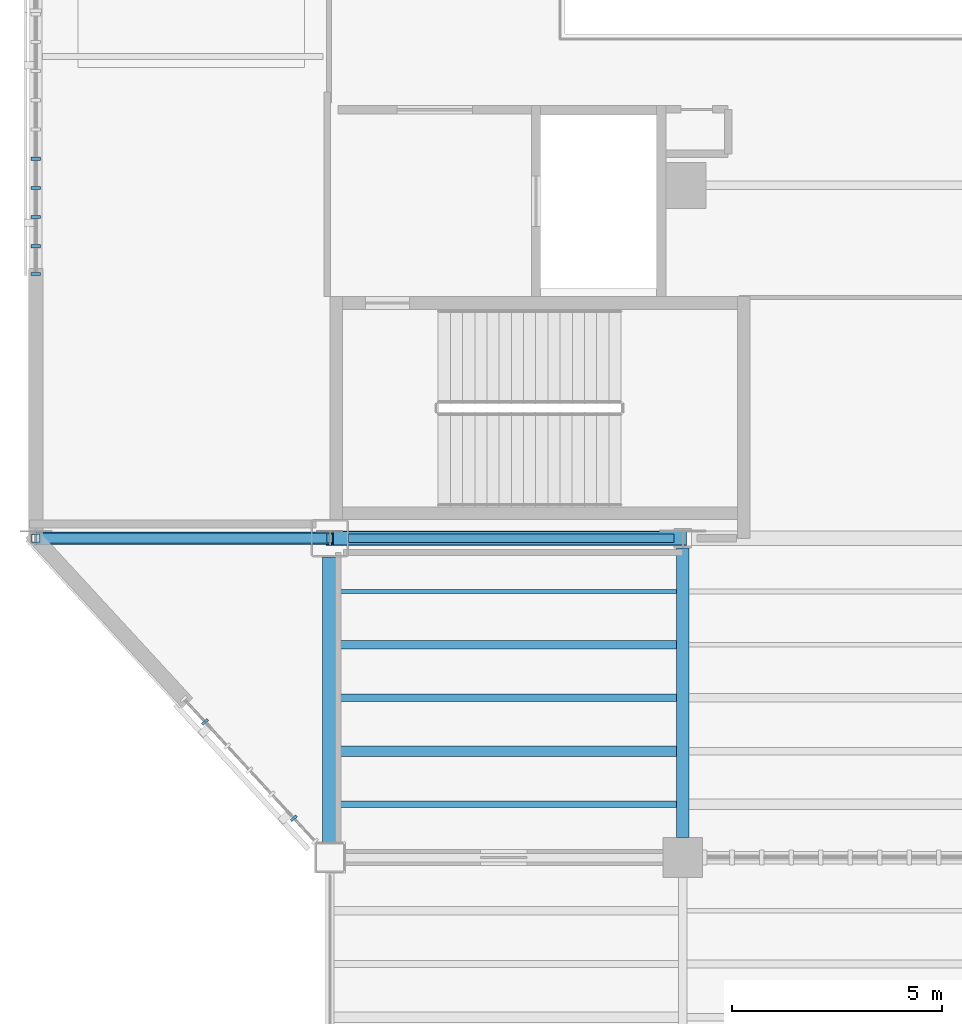
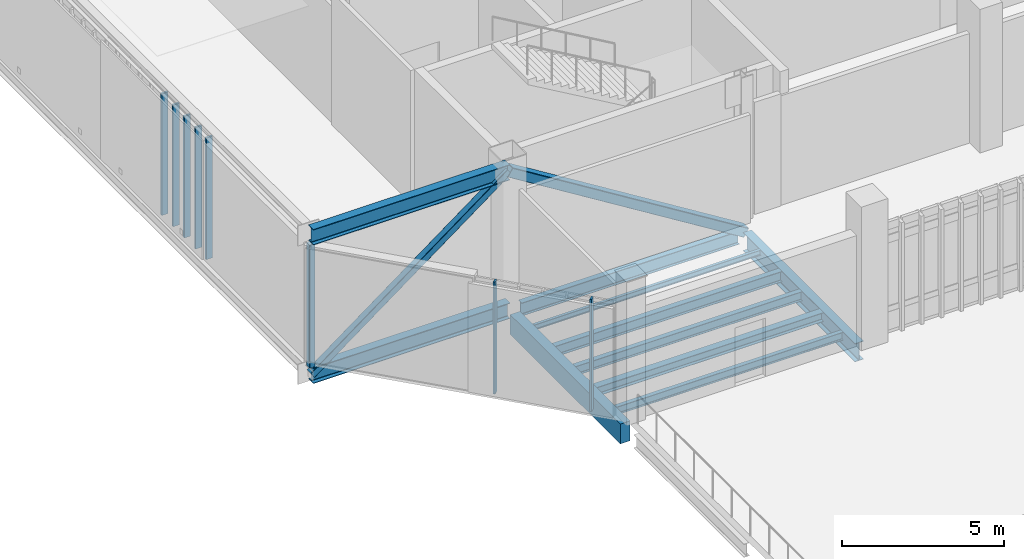
# One storey, part 16 of 127: 10 beams, 10 members, 2 elements without a shape of their own.
"""IFC4 building model written with IfcOpenShell, lengths in metres."""

from ifc_helpers import new_model, si_unit, direction, frame, origin, origin_2d, place, context, subcontext, project, spatial, rectangle, hollow_rectangle, i_section, extrude, material, material_profile, profile_set, type_object, element, aggregate, save


model = new_model("IFC4")

# Units and contexts
model_context = context("Model", 3, precision=1e-05, world=origin(), true_north=direction((0.0, 1.0)))
body_context = subcontext(model_context, "Body", "Model", "MODEL_VIEW")
ifc_project = project(units=[si_unit("LENGTHUNIT", "METRE"), si_unit("AREAUNIT", "SQUARE_METRE"), si_unit("VOLUMEUNIT", "CUBIC_METRE"), si_unit("PLANEANGLEUNIT", "RADIAN"), si_unit("MASSUNIT", "GRAM", prefix="KILO")], contexts=[model_context])

# Site, building, storey
site_placement = place(None, origin())
site = spatial("IfcSite", under=ifc_project, at=site_placement, CompositionType="ELEMENT")
building_placement = place(site_placement, origin())
building = spatial("IfcBuilding", under=site, at=building_placement, Name="Larkvane Passage Sports Hall", CompositionType="ELEMENT")
storey_placement = place(building_placement, frame((0.0, 0.0, 5.39990234375)))
storey = spatial("IfcBuildingStorey", under=building, at=storey_placement, Name="L01", CompositionType="ELEMENT", Elevation=5.39990234375)

# Beams
ifc_material_1 = material(Name="Steel S460N", Category="steel")
ifc_material_profile_1 = material_profile(ifc_material_1, i_section(OverallWidth=0.300048828125, OverallDepth=0.587890625, WebThickness=0.011962890625, FlangeThickness=0.02001953125, FilletRadius=0.02197265625, at=origin_2d()), Name="H-588x300x12x20")
ifc_profile_set_1 = profile_set([ifc_material_profile_1], Name="Steel S460N")
beam_type_1 = type_object("IfcBeamType", Name="BM-STL-H588", PredefinedType="BEAM", material=ifc_profile_set_1)
for number, where, z_axis, x_axis, name in (
    (1, (27.800048828125, 22.800048828125, -0.52392578125), (1.0, 0.0, 0.0), (0.0, 1.0, 0.0), "Cantilever truss CT-W1A-1 bottom chord 1"),
    (2, (27.800048828125, 22.800048828125, 4.68603515625), (1.0, 0.0, 0.0), (0.0, 1.0, 0.0), "Cantilever truss CT-W1A-1 top chord 1"),
):
    element("IfcBeam", number, at=place(storey_placement, frame(where, z_axis=z_axis, x_axis=x_axis)), inside=storey, type_object=beam_type_1, Name=name, PredefinedType="BEAM", context=body_context, shape_type="SweptSolid", body=[
        extrude(i_section(OverallWidth=0.300048828125, OverallDepth=0.587890625, WebThickness=0.011962890625, FlangeThickness=0.02001953125, FilletRadius=0.02197265625, at=origin_2d()), origin(), (0.0, 0.0, 1.0), 7.0),
    ])
ifc_material_profile_2 = material_profile(ifc_material_1, i_section(OverallWidth=0.300048828125, OverallDepth=0.69189453125, WebThickness=0.012939453125, FlangeThickness=0.02001953125, FilletRadius=0.02197265625, at=origin_2d()), Name="H-692x300x13x20")
ifc_profile_set_2 = profile_set([ifc_material_profile_2], Name="Steel S460N")
beam_type_2 = type_object("IfcBeamType", Name="BM-STL-H692", PredefinedType="BEAM", material=ifc_profile_set_2)
beam_1_placement = place(storey_placement, frame((43.199951171875, 15.675048828125, -0.765869140625), z_axis=(0.0, 1.0, 0.0), x_axis=(-1.0, 0.0, 0.0)))
element("IfcBeam", 3, at=beam_1_placement, inside=storey, type_object=beam_type_2, Name="Girder BM5-Y-L01-7-0450", PredefinedType="BEAM", context=body_context, shape_type="SweptSolid", body=[
    extrude(i_section(OverallWidth=0.300048828125, OverallDepth=0.69189453125, WebThickness=0.012939453125, FlangeThickness=0.02001953125, FilletRadius=0.02197265625, at=origin_2d()), origin(), (0.0, 0.0, 1.0), 6.89599609375),
])

# Curtain wall, members
ifc_material_2 = material(Name="Thermally broken aluminium and low-E glazing", Category="aluminium")
curtain_wall_type_1 = type_object("IfcCurtainWallType", Name="CW-UNIT-COURT", PredefinedType="USERDEFINED", material=ifc_material_2)
curtain_wall_1_placement = place(storey_placement, origin())
curtain_wall_1 = element("IfcCurtainWall", 4, at=curtain_wall_1_placement, inside=storey, type_object=curtain_wall_type_1, Name="Curtain wall CW5-L01-032", ObjectType="UNITISED CURTAIN WALL", PredefinedType="USERDEFINED")
ifc_material_3 = material(Name="Anodised aluminium 6063-T6", Category="aluminium")
ifc_material_profile_3 = material_profile(ifc_material_3, rectangle(XDim=0.06494140625, YDim=0.179931640625, at=origin_2d()), Name="ALU-MUL-65x180")
ifc_profile_set_3 = profile_set([ifc_material_profile_3], Name="Anodised aluminium 6063-T6")
member_type_1 = type_object("IfcMemberType", Name="CW-MUL-65x180", PredefinedType="MULLION", material=ifc_profile_set_3)
member_1_placement = place(storey_placement, frame((33.939697265625, 16.134033203125, 0.0), z_axis=(0.0, 0.0, 1.0), x_axis=(-0.677477581746, 0.735543422397, 0.0)))
member_1 = element("IfcMember", 5, at=member_1_placement, type_object=member_type_1, Name="CW-01 mullion 2", PredefinedType="MULLION", context=body_context, shape_type="SweptSolid", body=[
    extrude(rectangle(XDim=0.06494140625, YDim=0.179931640625, at=origin_2d()), origin(), (0.0, 0.0, 1.0), 4.218017578125),
])
member_2_placement = place(storey_placement, frame((31.827880859375, 18.4267578125, 0.0), z_axis=(0.0, 0.0, 1.0), x_axis=(-0.677477581746, 0.735543422397, 0.0)))
member_2 = element("IfcMember", 6, at=member_2_placement, type_object=member_type_1, Name="CW-01 mullion 6", PredefinedType="MULLION", context=body_context, shape_type="SweptSolid", body=[
    extrude(rectangle(XDim=0.06494140625, YDim=0.179931640625, at=origin_2d()), origin(), (0.0, 0.0, 1.0), 4.218017578125),
])
aggregate(curtain_wall_1, [member_1, member_2])

curtain_wall_type_2 = type_object("IfcCurtainWallType", Name="CW-UNIT-VEIL", PredefinedType="USERDEFINED", material=ifc_material_2)
curtain_wall_2_placement = place(storey_placement, origin())
curtain_wall_2 = element("IfcCurtainWall", 7, at=curtain_wall_2_placement, inside=storey, type_object=curtain_wall_type_2, Name="Curtain wall CW5-L01-033", ObjectType="UNITISED CURTAIN WALL", PredefinedType="USERDEFINED")
ifc_material_profile_4 = material_profile(ifc_material_3, rectangle(XDim=0.074951171875, YDim=0.22509765625, at=origin_2d()), Name="ALU-MUL-75x225")
ifc_profile_set_4 = profile_set([ifc_material_profile_4], Name="Anodised aluminium 6063-T6")
member_type_2 = type_object("IfcMemberType", Name="CW-MUL-75x225", PredefinedType="MULLION", material=ifc_profile_set_4)
member_3_placement = place(storey_placement, frame((27.800048828125, 29.092041015625, 0.0), z_axis=(0.0, 0.0, 1.0), x_axis=(0.0, 1.0, 0.0)))
member_3 = element("IfcMember", 8, at=member_3_placement, type_object=member_type_2, Name="CW-02 mullion 1", PredefinedType="MULLION", context=body_context, shape_type="SweptSolid", body=[
    extrude(rectangle(XDim=0.074951171875, YDim=0.22509765625, at=origin_2d()), origin(), (0.0, 0.0, 1.0), 4.578125),
])
member_4_placement = place(storey_placement, frame((27.800048828125, 29.74951171875, 0.0), z_axis=(0.0, 0.0, 1.0), x_axis=(0.0, 1.0, 0.0)))
member_4 = element("IfcMember", 9, at=member_4_placement, type_object=member_type_2, Name="CW-02 mullion 2", PredefinedType="MULLION", context=body_context, shape_type="SweptSolid", body=[
    extrude(rectangle(XDim=0.074951171875, YDim=0.22509765625, at=origin_2d()), origin(), (0.0, 0.0, 1.0), 4.578125),
])
member_5_placement = place(storey_placement, frame((27.800048828125, 30.4443359375, 0.0), z_axis=(0.0, 0.0, 1.0), x_axis=(0.0, 1.0, 0.0)))
member_5 = element("IfcMember", 10, at=member_5_placement, type_object=member_type_2, Name="CW-02 mullion 3", PredefinedType="MULLION", context=body_context, shape_type="SweptSolid", body=[
    extrude(rectangle(XDim=0.074951171875, YDim=0.22509765625, at=origin_2d()), origin(), (0.0, 0.0, 1.0), 4.578125),
])
member_6_placement = place(storey_placement, frame((27.800048828125, 31.139404296875, 0.0), z_axis=(0.0, 0.0, 1.0), x_axis=(0.0, 1.0, 0.0)))
member_6 = element("IfcMember", 11, at=member_6_placement, type_object=member_type_2, Name="CW-02 mullion 4", PredefinedType="MULLION", context=body_context, shape_type="SweptSolid", body=[
    extrude(rectangle(XDim=0.074951171875, YDim=0.22509765625, at=origin_2d()), origin(), (0.0, 0.0, 1.0), 4.578125),
])
member_7_placement = place(storey_placement, frame((27.800048828125, 31.834228515625, 0.0), z_axis=(0.0, 0.0, 1.0), x_axis=(0.0, 1.0, 0.0)))
member_7 = element("IfcMember", 12, at=member_7_placement, type_object=member_type_2, Name="CW-02 mullion 5", PredefinedType="MULLION", context=body_context, shape_type="SweptSolid", body=[
    extrude(rectangle(XDim=0.074951171875, YDim=0.22509765625, at=origin_2d()), origin(), (0.0, 0.0, 1.0), 4.578125),
])
aggregate(curtain_wall_2, [member_3, member_4, member_5, member_6, member_7])

# Beams
ifc_material_4 = material(Name="Steel S355JR", Category="steel")
ifc_material_profile_5 = material_profile(ifc_material_4, i_section(OverallWidth=0.10009765625, OverallDepth=0.199951171875, WebThickness=0.005615234375, FlangeThickness=0.008056640625, FilletRadius=0.008056640625, at=origin_2d()), Name="H-200x100x5.5x8")
ifc_profile_set_5 = profile_set([ifc_material_profile_5], Name="Steel S355JR")
beam_type_3 = type_object("IfcBeamType", Name="JST-STL-H200", PredefinedType="JOIST", material=ifc_profile_set_5)
beam_2_placement = place(storey_placement, frame((34.97509765625, 21.533447265625, -0.52001953125), z_axis=(1.0, 0.0, 0.0), x_axis=(0.0, 1.0, 0.0)))
element("IfcBeam", 13, at=beam_2_placement, inside=storey, type_object=beam_type_3, Name="Composite joist L01 6/C-5", PredefinedType="JOIST", context=body_context, shape_type="SweptSolid", body=[
    extrude(i_section(OverallWidth=0.10009765625, OverallDepth=0.199951171875, WebThickness=0.005615234375, FlangeThickness=0.008056640625, FilletRadius=0.008056640625, at=origin_2d()), origin(), (0.0, 0.0, 1.0), 8.074951171875),
])
ifc_material_profile_6 = material_profile(ifc_material_4, i_section(OverallWidth=0.14990234375, OverallDepth=0.300048828125, WebThickness=0.006591796875, FlangeThickness=0.009033203125, FilletRadius=0.012939453125, at=origin_2d()), Name="H-300x150x6.5x9")
ifc_profile_set_6 = profile_set([ifc_material_profile_6], Name="Steel S355JR")
beam_type_4 = type_object("IfcBeamType", Name="JST-STL-H300", PredefinedType="JOIST", material=ifc_profile_set_6)
beam_3_placement = place(storey_placement, frame((34.97509765625, 16.466552734375, -0.56982421875), z_axis=(1.0, 0.0, 0.0), x_axis=(0.0, 1.0, 0.0)))
element("IfcBeam", 14, at=beam_3_placement, inside=storey, type_object=beam_type_4, Name="Composite joist L01 6/C-1", PredefinedType="JOIST", context=body_context, shape_type="SweptSolid", body=[
    extrude(i_section(OverallWidth=0.14990234375, OverallDepth=0.300048828125, WebThickness=0.006591796875, FlangeThickness=0.009033203125, FilletRadius=0.012939453125, at=origin_2d()), origin(), (0.0, 0.0, 1.0), 8.074951171875),
])
ifc_material_profile_7 = material_profile(ifc_material_4, i_section(OverallWidth=0.25, OverallDepth=0.340087890625, WebThickness=0.009033203125, FlangeThickness=0.013916015625, FilletRadius=0.012939453125, at=origin_2d()), Name="H-340x250x9x14")
ifc_profile_set_7 = profile_set([ifc_material_profile_7], Name="Steel S355JR")
beam_type_5 = type_object("IfcBeamType", Name="JST-STL-H340", PredefinedType="JOIST", material=ifc_profile_set_7)
beam_4_placement = place(storey_placement, frame((34.97509765625, 17.7333984375, -0.58984375), z_axis=(1.0, 0.0, 0.0), x_axis=(0.0, 1.0, 0.0)))
element("IfcBeam", 15, at=beam_4_placement, inside=storey, type_object=beam_type_5, Name="Composite joist L01 6/C-2", PredefinedType="JOIST", context=body_context, shape_type="SweptSolid", body=[
    extrude(i_section(OverallWidth=0.25, OverallDepth=0.340087890625, WebThickness=0.009033203125, FlangeThickness=0.013916015625, FilletRadius=0.012939453125, at=origin_2d()), origin(), (0.0, 0.0, 1.0), 8.074951171875),
])
ifc_material_profile_8 = material_profile(ifc_material_4, i_section(OverallWidth=0.175048828125, OverallDepth=0.35009765625, WebThickness=0.007080078125, FlangeThickness=0.010986328125, FilletRadius=0.012939453125, at=origin_2d()), Name="H-350x175x7x11")
ifc_profile_set_8 = profile_set([ifc_material_profile_8], Name="Steel S355JR")
beam_type_6 = type_object("IfcBeamType", Name="JST-STL-H350", PredefinedType="JOIST", material=ifc_profile_set_8)
beam_5_placement = place(storey_placement, frame((34.97509765625, 19.0, -0.594970703125), z_axis=(1.0, 0.0, 0.0), x_axis=(0.0, 1.0, 0.0)))
element("IfcBeam", 16, at=beam_5_placement, inside=storey, type_object=beam_type_6, Name="Composite joist L01 6/C-3", PredefinedType="JOIST", context=body_context, shape_type="SweptSolid", body=[
    extrude(i_section(OverallWidth=0.175048828125, OverallDepth=0.35009765625, WebThickness=0.007080078125, FlangeThickness=0.010986328125, FilletRadius=0.012939453125, at=origin_2d()), origin(), (0.0, 0.0, 1.0), 8.074951171875),
])
ifc_material_profile_9 = material_profile(ifc_material_4, i_section(OverallWidth=0.199951171875, OverallDepth=0.39990234375, WebThickness=0.008056640625, FlangeThickness=0.012939453125, FilletRadius=0.012939453125, at=origin_2d()), Name="H-400x200x8x13")
ifc_profile_set_9 = profile_set([ifc_material_profile_9], Name="Steel S355JR")
beam_type_7 = type_object("IfcBeamType", Name="JST-STL-H400", PredefinedType="JOIST", material=ifc_profile_set_9)
beam_6_placement = place(storey_placement, frame((34.97509765625, 20.2666015625, -0.619873046875), z_axis=(1.0, 0.0, 0.0), x_axis=(0.0, 1.0, 0.0)))
element("IfcBeam", 17, at=beam_6_placement, inside=storey, type_object=beam_type_7, Name="Composite joist L01 6/C-4", PredefinedType="JOIST", context=body_context, shape_type="SweptSolid", body=[
    extrude(i_section(OverallWidth=0.199951171875, OverallDepth=0.39990234375, WebThickness=0.008056640625, FlangeThickness=0.012939453125, FilletRadius=0.012939453125, at=origin_2d()), origin(), (0.0, 0.0, 1.0), 8.074951171875),
])

# Members
ifc_material_profile_10 = material_profile(ifc_material_1, hollow_rectangle(XDim=0.25, YDim=0.25, WallThickness=0.011962890625, InnerFilletRadius=0.011962890625, OuterFilletRadius=0.02392578125, at=origin_2d()), Name="SHS-250x250x12")
ifc_profile_set_10 = profile_set([ifc_material_profile_10], Name="Steel S460N")
member_type_3 = type_object("IfcMemberType", Name="MBR-BR-SHS250", PredefinedType="BRACE", material=ifc_profile_set_10)
member_8_placement = place(storey_placement, frame((27.800048828125, 22.800048828125, -0.52392578125), z_axis=(0.802197070875, 0.0, 0.597059343348), x_axis=(0.0, 1.0, 0.0)))
element("IfcMember", 18, at=member_8_placement, inside=storey, type_object=member_type_3, Name="Cantilever truss CT-W1A-1 web diagonal 1", PredefinedType="BRACE", context=body_context, shape_type="SweptSolid", body=[
    extrude(hollow_rectangle(XDim=0.25, YDim=0.25, WallThickness=0.011962890625, InnerFilletRadius=0.011962890625, OuterFilletRadius=0.02392578125, at=origin_2d()), origin(), (0.0, 0.0, 1.0), 8.72607421875),
])
ifc_material_profile_11 = material_profile(ifc_material_1, hollow_rectangle(XDim=0.35009765625, YDim=0.35009765625, WallThickness=0.01611328125, InnerFilletRadius=0.01611328125, OuterFilletRadius=0.031982421875, at=origin_2d()), Name="SHS-350x350x16")
ifc_profile_set_11 = profile_set([ifc_material_profile_11], Name="Steel S460N")
member_type_4 = type_object("IfcMemberType", Name="MBR-BR-SHS350", PredefinedType="BRACE", material=ifc_profile_set_11)
member_9_placement = place(storey_placement, frame((34.800048828125, 22.800048828125, 4.68603515625), z_axis=(0.84981108875, 0.0, -0.527087386907), x_axis=(0.0, 1.0, 0.0)))
element("IfcMember", 19, at=member_9_placement, inside=storey, type_object=member_type_4, Name="Cantilever truss CT-W1A-1 web diagonal 2", PredefinedType="BRACE", context=body_context, shape_type="SweptSolid", body=[
    extrude(hollow_rectangle(XDim=0.35009765625, YDim=0.35009765625, WallThickness=0.01611328125, InnerFilletRadius=0.01611328125, OuterFilletRadius=0.031982421875, at=origin_2d()), origin(), (0.0, 0.0, 1.0), 9.884521484375),
])
ifc_material_profile_12 = material_profile(ifc_material_1, hollow_rectangle(XDim=0.199951171875, YDim=0.199951171875, WallThickness=0.009033203125, InnerFilletRadius=0.009033203125, OuterFilletRadius=0.01806640625, at=origin_2d()), Name="SHS-200x200x9")
ifc_profile_set_12 = profile_set([ifc_material_profile_12], Name="Steel S460N")
member_type_5 = type_object("IfcMemberType", Name="MBR-ST-SHS200", PredefinedType="STRUT", material=ifc_profile_set_12)
member_10_placement = place(storey_placement, frame((27.800048828125, 22.800048828125, -0.22998046875), z_axis=(0.0, 0.0, 1.0), x_axis=(1.0, 0.0, 0.0)))
element("IfcMember", 20, at=member_10_placement, inside=storey, type_object=member_type_5, Name="Cantilever truss CT-W1A-1 vertical post 1", PredefinedType="STRUT", context=body_context, shape_type="SweptSolid", body=[
    extrude(hollow_rectangle(XDim=0.199951171875, YDim=0.199951171875, WallThickness=0.009033203125, InnerFilletRadius=0.009033203125, OuterFilletRadius=0.01806640625, at=origin_2d()), origin(), (0.0, 0.0, 1.0), 4.6220703125),
])

# Beams
ifc_material_5 = material(Name="Concrete C40/50", Category="concrete")
ifc_material_profile_13 = material_profile(ifc_material_5, rectangle(XDim=0.35009765625, YDim=0.75, at=origin_2d()), Name="RC-SP-350x750")
ifc_profile_set_13 = profile_set([ifc_material_profile_13], Name="Concrete C40/50")
beam_type_8 = type_object("IfcBeamType", Name="SP-RC-350x750", PredefinedType="SPANDREL", material=ifc_profile_set_13)
beam_7_placement = place(storey_placement, frame((34.800048828125, 15.550048828125, -0.794921875), z_axis=(0.0, 1.0, 0.0), x_axis=(-1.0, 0.0, 0.0)))
element("IfcBeam", 21, at=beam_7_placement, inside=storey, type_object=beam_type_8, Name="Girder BM5-Y-L01-6-0445", PredefinedType="SPANDREL", context=body_context, shape_type="SweptSolid", body=[
    extrude(rectangle(XDim=0.35009765625, YDim=0.75, at=origin_2d()), origin(), (0.0, 0.0, 1.0), 6.800048828125),
])
ifc_material_profile_14 = material_profile(ifc_material_4, i_section(OverallWidth=0.199951171875, OverallDepth=0.5, WebThickness=0.010009765625, FlangeThickness=0.01611328125, FilletRadius=0.01806640625, at=origin_2d()), Name="H-500x200x10x16")
ifc_profile_set_14 = profile_set([ifc_material_profile_14], Name="Steel S355JR")
beam_type_9 = type_object("IfcBeamType", Name="SP-STL-H500", PredefinedType="SPANDREL", material=ifc_profile_set_14)
beam_8_placement = place(storey_placement, frame((35.25, 22.800048828125, -0.669921875), z_axis=(1.0, 0.0, 0.0), x_axis=(0.0, 1.0, 0.0)))
element("IfcBeam", 22, at=beam_8_placement, inside=storey, type_object=beam_type_9, Name="Girder BM5-X-L01-D-0384", PredefinedType="SPANDREL", context=body_context, shape_type="SweptSolid", body=[
    extrude(i_section(OverallWidth=0.199951171875, OverallDepth=0.5, WebThickness=0.010009765625, FlangeThickness=0.01611328125, FilletRadius=0.01806640625, at=origin_2d()), origin(), (0.0, 0.0, 1.0), 7.741455078125),
])

save(model, "model.ifc")
